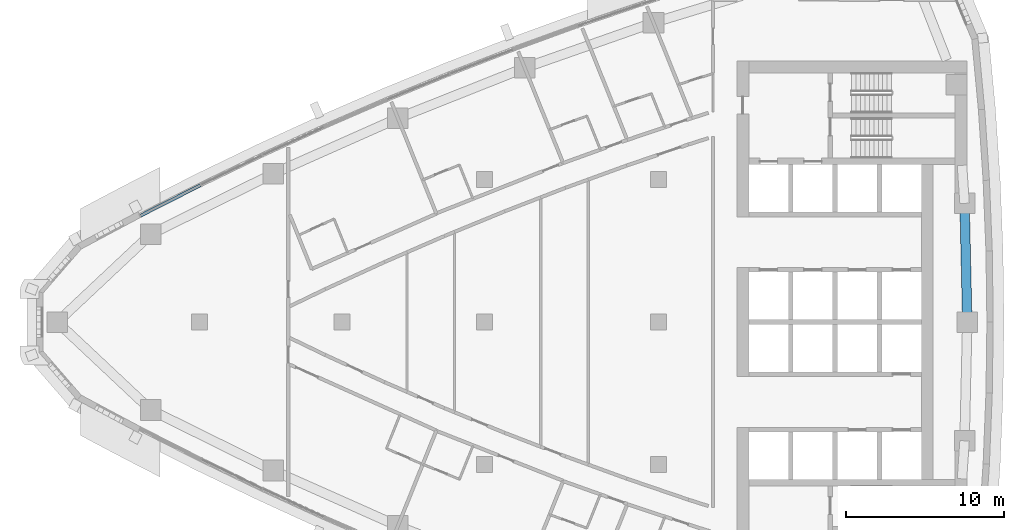
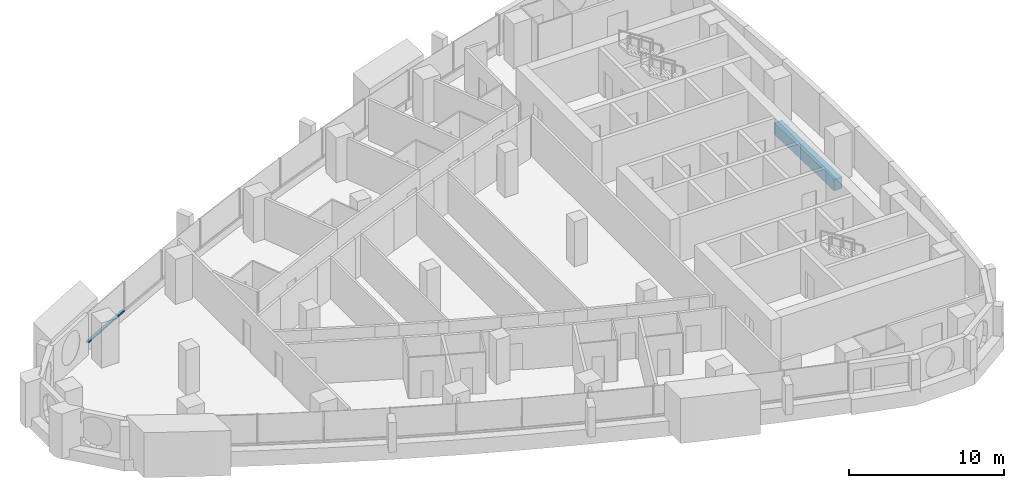
# One storey, part 5 of 17: 1 beam, 1 member, 1 element without a shape of its own.
"""IFC4 building model written with IfcOpenShell, lengths in metres."""

from ifc_helpers import new_model, si_unit, direction, frame, origin, origin_2d, place, context, subcontext, project, spatial, rectangle, extrude, material, layer, layer_set, material_profile, profile_set, type_object, element, aggregate, save


model = new_model("IFC4")

# Units and contexts
model_context = context("Model", 3, precision=1e-05, world=origin(), true_north=direction((0.0, 1.0)))
body_context = subcontext(model_context, "Body", "Model", "MODEL_VIEW")
ifc_project = project(units=[si_unit("LENGTHUNIT", "METRE"), si_unit("AREAUNIT", "SQUARE_METRE"), si_unit("VOLUMEUNIT", "CUBIC_METRE"), si_unit("PLANEANGLEUNIT", "RADIAN"), si_unit("MASSUNIT", "GRAM", prefix="KILO")], contexts=[model_context])

# Site, building, storey
site_placement = place(None, origin())
site = spatial("IfcSite", under=ifc_project, at=site_placement, CompositionType="ELEMENT")
building_placement = place(site_placement, origin())
building = spatial("IfcBuilding", under=site, at=building_placement, Name="Ostrand Prow Hotel Tower", CompositionType="ELEMENT")
storey_placement = place(building_placement, frame((0.0, 0.0, 175.5)))
storey = spatial("IfcBuildingStorey", under=building, at=storey_placement, Name="L43", CompositionType="ELEMENT", Elevation=175.5)

# Beam
ifc_material_1 = material(Name="Concrete C60/75", Category="concrete")
ifc_material_profile_1 = material_profile(ifc_material_1, rectangle(XDim=0.60009765625, YDim=0.89990234375, at=origin_2d()), Name="RC 600x900")
ifc_profile_set_1 = profile_set([ifc_material_profile_1], Name="Concrete C60/75")
beam_type = type_object("IfcBeamType", Name="Edge beam 600x900 C60/75", PredefinedType="SPANDREL", material=ifc_profile_set_1)
beam_placement = place(storey_placement, frame((64.5, 0.0, -0.75), z_axis=(-0.022620118241, 0.999744132391, 0.0), x_axis=(-0.999744132391, -0.022620118241, 0.0)))
element("IfcBeam", 1, at=beam_placement, inside=storey, type_object=beam_type, Name="Edge beam B3-B4", PredefinedType="SPANDREL", context=body_context, shape_type="SweptSolid", body=[
    extrude(rectangle(XDim=0.60009765625, YDim=0.89990234375, at=origin_2d()), origin(), (0.0, 0.0, 1.0), 7.501220703125),
])

# Curtain wall, member
ifc_material_2 = material(Name="Insulated glass in bronze anodised frame", Category="glass")
ifc_layer = layer(ifc_material_2, 0.199951171875)
ifc_layer_set = layer_set([ifc_layer], Name="Insulated glass in bronze anodised frame")
curtain_wall_type = type_object("IfcCurtainWallType", Name="Strip curtain wall, fritted glass over bronze spandrel", PredefinedType="NOTDEFINED", material=ifc_layer_set)
curtain_wall_placement = place(storey_placement, origin())
curtain_wall = element("IfcCurtainWall", 2, at=curtain_wall_placement, inside=storey, type_object=curtain_wall_type, Name="CW1 run CWN5", PredefinedType="NOTDEFINED")
ifc_material_3 = material(Name="Bronze anodised aluminium", Category="aluminium")
ifc_material_profile_2 = material_profile(ifc_material_3, rectangle(XDim=0.199951171875, YDim=0.1201171875, at=origin_2d()), Name="Transom 120x200 bronze anodised aluminium")
ifc_profile_set_2 = profile_set([ifc_material_profile_2], Name="Bronze anodised aluminium")
member_type = type_object("IfcMemberType", Name="Transom 120x200 bronze anodised aluminium", PredefinedType="USERDEFINED", material=ifc_profile_set_2)
member_placement = place(storey_placement, frame((16.06787109375, 8.6474609375, 0.9599609375), z_axis=(-0.891672840777, -0.452680400526, 0.0), x_axis=(0.452680400526, -0.891672840777, 0.0)))
member = element("IfcMember", 3, at=member_placement, type_object=member_type, Name="CW1 transom 2.1", ObjectType="TRANSOM", PredefinedType="USERDEFINED", context=body_context, shape_type="SweptSolid", body=[
    extrude(rectangle(XDim=0.199951171875, YDim=0.1201171875, at=origin_2d()), origin(), (0.0, 0.0, 1.0), 4.2451171875),
])
aggregate(curtain_wall, [member])

save(model, "model.ifc")
